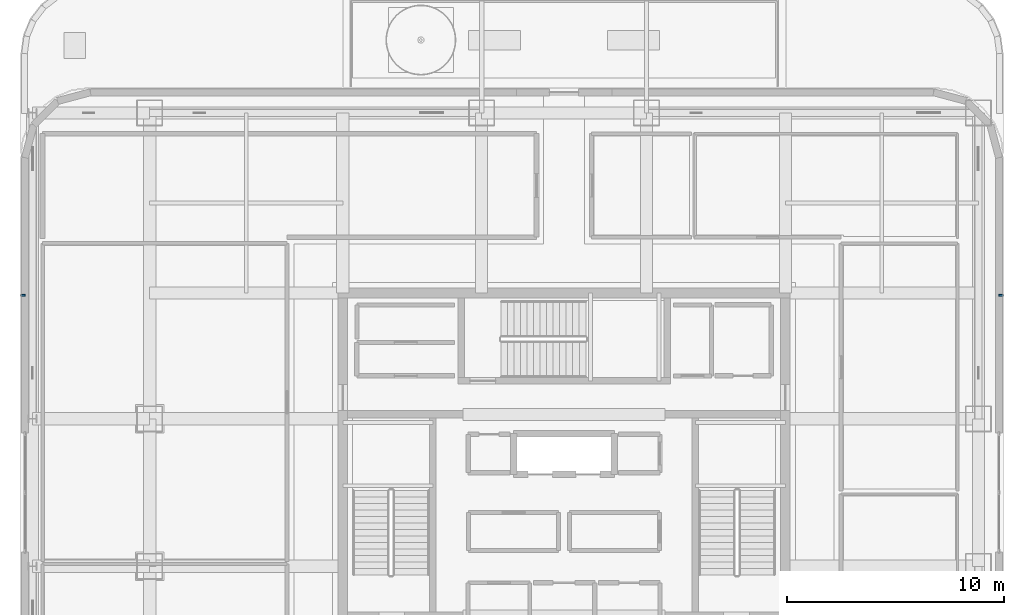
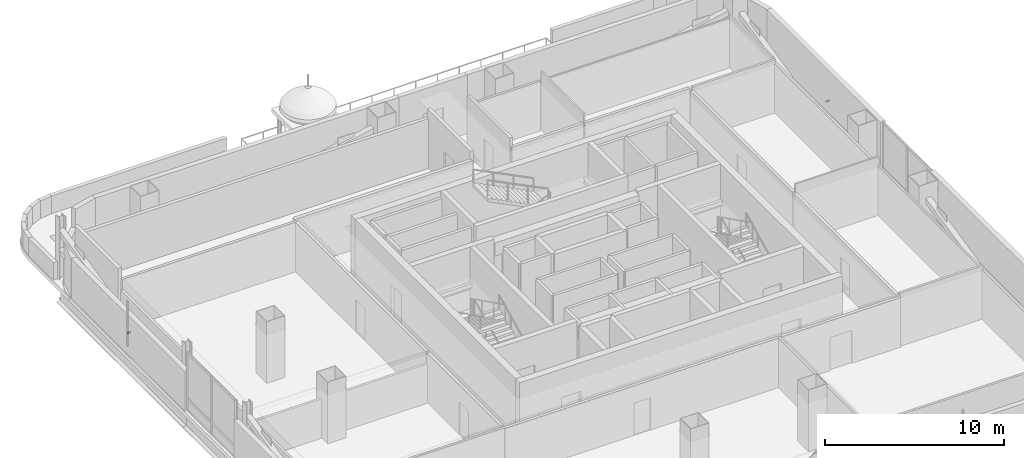
# One storey, part 17 of 28: 2 discrete accessories.
"""IFC4 building model written with IfcOpenShell, lengths in metres."""

from ifc_helpers import new_model, si_unit, direction, frame, origin, origin_2d, place, context, subcontext, project, spatial, rectangle, extrude, material, type_object, element, save


model = new_model("IFC4")

# Units and contexts
model_context = context("Model", 3, precision=1e-05, world=origin(), true_north=direction((0.0, 1.0)))
body_context = subcontext(model_context, "Body", "Model", "MODEL_VIEW")
ifc_project = project(units=[si_unit("LENGTHUNIT", "METRE"), si_unit("AREAUNIT", "SQUARE_METRE"), si_unit("VOLUMEUNIT", "CUBIC_METRE"), si_unit("PLANEANGLEUNIT", "RADIAN"), si_unit("MASSUNIT", "GRAM", prefix="KILO")], contexts=[model_context])

# Site, building, storey
site_placement = place(None, origin())
site = spatial("IfcSite", under=ifc_project, at=site_placement, CompositionType="ELEMENT")
building_placement = place(site_placement, origin())
building = spatial("IfcBuilding", under=site, at=building_placement, Name="Punatoya Terracotta Tower", CompositionType="ELEMENT")
storey_placement = place(building_placement, frame((0.0, 0.0, 317.39990234375)))
storey = spatial("IfcBuildingStorey", under=building, at=storey_placement, Name="L75", CompositionType="ELEMENT", Elevation=317.39990234375)

# Discrete accessories
ifc_material = material(Name="Steel S355", Category="steel")
discrete_accessory_type = type_object("IfcDiscreteAccessoryType", Name="ACC-BRK-220", PredefinedType="BRACKET", material=ifc_material)
for number, where, z_axis, x_axis, name in (
    (1, (20.14990234375, 9.093505859375, 1.449951171875), (0.0, 0.0, 1.0), (0.0, 1.0, 0.0), "L75 Jali Fin Support Bracket E2"),
    (2, (-24.949951171875, 9.093505859375, 1.449951171875), (0.0, 0.0, 1.0), (0.0, -1.0, 0.0), "L75 Jali Fin Support Bracket W1"),
):
    element("IfcDiscreteAccessory", number, at=place(storey_placement, frame(where, z_axis=z_axis, x_axis=x_axis)), inside=storey, type_object=discrete_accessory_type, Name=name, PredefinedType="BRACKET", context=body_context, shape_type="SweptSolid", body=[
        extrude(rectangle(XDim=0.090087890625, YDim=0.219970703125, at=origin_2d()), origin(), (0.0, 0.0, 1.0), 0.10009765625),
    ])

save(model, "model.ifc")
